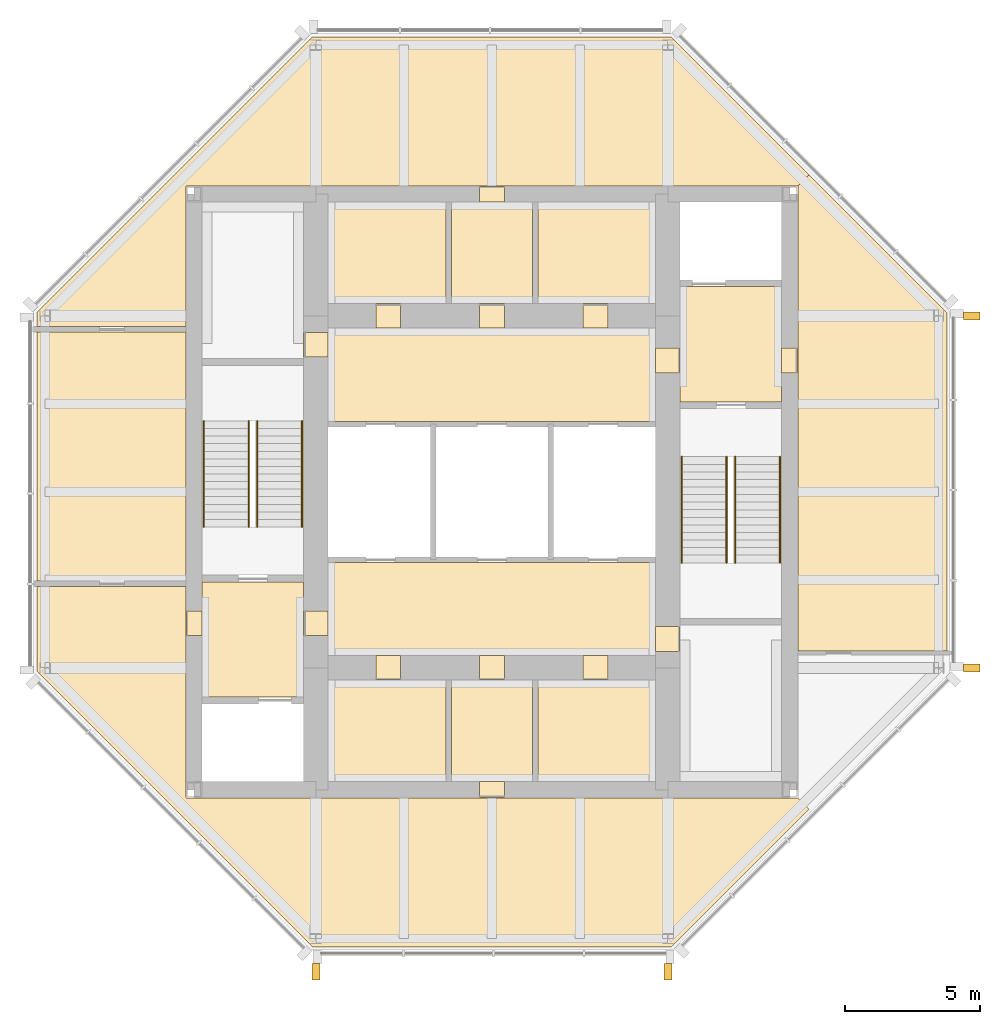
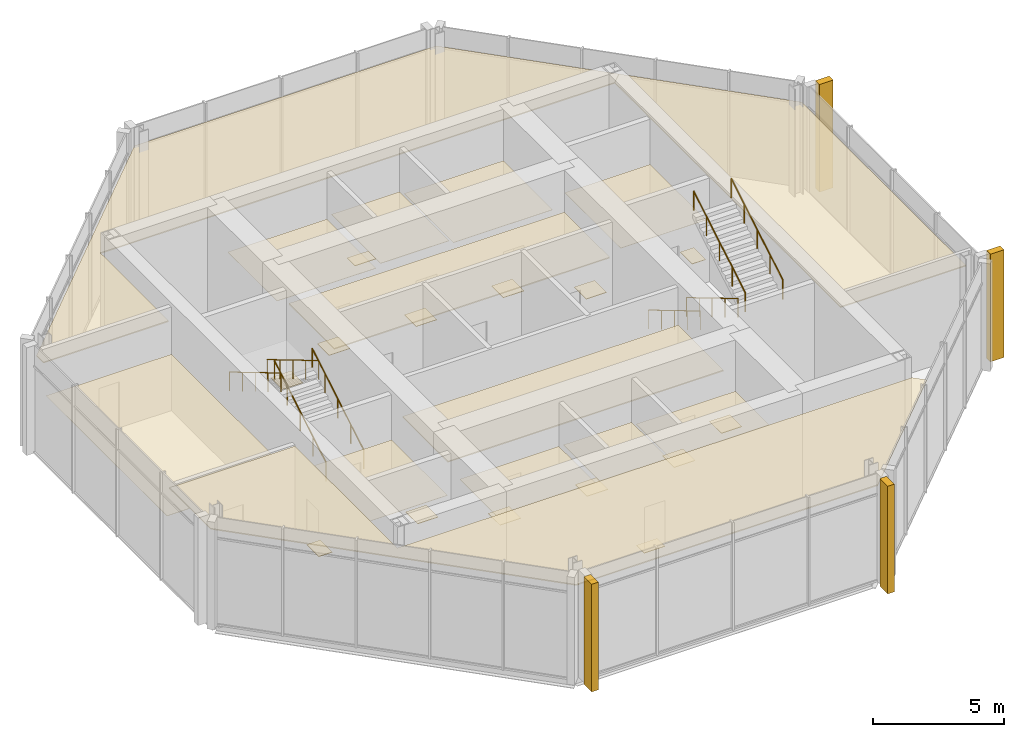
# One storey, part 7 of 7: 32 coverings, 8 railings.
"""IFC4 building model written with IfcOpenShell, lengths in metres."""

from ifc_helpers import new_model, si_unit, direction, frame, origin, origin_2d, place, context, subcontext, project, spatial, polyline, rectangle, circle, outline, extrude, material, layer, layer_set, type_object, element, save


model = new_model("IFC4")

# Units and contexts
model_context = context("Model", 3, precision=1e-05, world=origin(), true_north=direction((0.0, 1.0)))
body_context = subcontext(model_context, "Body", "Model", "MODEL_VIEW")
ifc_project = project(units=[si_unit("LENGTHUNIT", "METRE"), si_unit("AREAUNIT", "SQUARE_METRE"), si_unit("VOLUMEUNIT", "CUBIC_METRE"), si_unit("PLANEANGLEUNIT", "RADIAN"), si_unit("MASSUNIT", "GRAM", prefix="KILO")], contexts=[model_context])

# Site, building, storey
site_placement = place(None, origin())
site = spatial("IfcSite", under=ifc_project, at=site_placement, CompositionType="ELEMENT")
building_placement = place(site_placement, origin())
building = spatial("IfcBuilding", under=site, at=building_placement, Name="Trevanion Tower", CompositionType="ELEMENT")
storey_placement = place(building_placement, frame((0.0, 0.0, 299.199951171875)))
storey = spatial("IfcBuildingStorey", under=building, at=storey_placement, Name="L74", CompositionType="ELEMENT", Elevation=299.199951171875)

# Coverings
ifc_material_1 = material(Name="Fibrous plaster coffers on suspended steel grid", Category="steel")
ifc_layer_1 = layer(ifc_material_1, 0.050048828125)
ifc_layer_set_1 = layer_set([ifc_layer_1], Name="CL1 coffered fibrous plaster ceiling 50")
covering_type_1 = type_object("IfcCoveringType", Name="CL1 coffered fibrous plaster ceiling 50", PredefinedType="CEILING", material=ifc_layer_set_1)
covering_1_placement = place(storey_placement, frame((0.0, 0.0, 3.0)))
element("IfcCovering", 1, at=covering_1_placement, inside=storey, type_object=covering_type_1, Name="CL1 L74-LBN", PredefinedType="CEILING", context=body_context, shape_type="SweptSolid", body=[
    extrude(outline(polyline([(6.050048828125, 2.60009765625), (6.050048828125, 6.050048828125), (-6.050048828125, 6.050048828125), (-6.050048828125, 2.60009765625), (6.050048828125, 2.60009765625)])), origin(), (0.0, 0.0, 1.0), 0.050048828125),
])
covering_2_placement = place(storey_placement, frame((0.0, 0.0, 3.0)))
element("IfcCovering", 2, at=covering_2_placement, inside=storey, type_object=covering_type_1, Name="CL1 L74-LBS", PredefinedType="CEILING", context=body_context, shape_type="SweptSolid", body=[
    extrude(outline(polyline([(6.050048828125, -6.050048828125), (6.050048828125, -2.60009765625), (-6.050048828125, -2.60009765625), (-6.050048828125, -6.050048828125), (6.050048828125, -6.050048828125)])), origin(), (0.0, 0.0, 1.0), 0.050048828125),
])
covering_3_placement = place(storey_placement, frame((0.0, 0.0, 4.0)))
element("IfcCovering", 3, at=covering_3_placement, inside=storey, type_object=covering_type_1, Name="CL1 L74-RS", PredefinedType="CEILING", context=body_context, shape_type="SweptSolid", body=[
    extrude(outline(polyline([(6.624267578125, 16.800048828125), (11.712158203125, 11.712158203125), (11.300048828125, 11.300048828125), (-11.300048828125, 11.300048828125), (-11.300048828125, 6.10009765625), (-16.800048828125, 6.10009765625), (-16.800048828125, 6.624267578125), (-6.624267578125, 16.800048828125), (6.624267578125, 16.800048828125)])), origin(), (0.0, 0.0, 1.0), 0.050048828125),
])
covering_4_placement = place(storey_placement, frame((0.0, 0.0, 4.0)))
element("IfcCovering", 4, at=covering_4_placement, inside=storey, type_object=covering_type_1, Name="CL1 L74-RT", PredefinedType="CEILING", context=body_context, shape_type="SweptSolid", body=[
    extrude(outline(polyline([(-6.624267578125, -16.800048828125), (-16.800048828125, -6.624267578125), (-16.800048828125, -3.5), (-11.300048828125, -3.5), (-11.300048828125, -11.300048828125), (11.300048828125, -11.300048828125), (11.712158203125, -11.712158203125), (6.624267578125, -16.800048828125), (-6.624267578125, -16.800048828125)])), origin(), (0.0, 0.0, 1.0), 0.050048828125),
])
covering_5_placement = place(storey_placement, frame((0.0, 0.0, 4.0)))
element("IfcCovering", 5, at=covering_5_placement, inside=storey, type_object=covering_type_1, Name="CL1 L74-BR", PredefinedType="CEILING", context=body_context, shape_type="SweptSolid", body=[
    extrude(outline(polyline([(16.800048828125, -5.875), (11.300048828125, -5.875), (11.300048828125, 11.300048828125), (11.712158203125, 11.712158203125), (16.800048828125, 6.624267578125), (16.800048828125, -5.875)])), origin(), (0.0, 0.0, 1.0), 0.050048828125),
])
ifc_material_2 = material(Name="Mineral fibre acoustic tiles in exposed grid", Category="mineral fibre")
ifc_layer_2 = layer(ifc_material_2, 0.02001953125)
ifc_layer_set_2 = layer_set([ifc_layer_2], Name="CL2 acoustic tile ceiling 20")
covering_type_2 = type_object("IfcCoveringType", Name="CL2 acoustic tile ceiling 20", PredefinedType="CEILING", material=ifc_layer_set_2)
covering_6_placement = place(storey_placement, frame((0.0, 0.0, 2.75)))
element("IfcCovering", 6, at=covering_6_placement, inside=storey, type_object=covering_type_2, Name="CL2 L74-CNC", PredefinedType="CEILING", context=body_context, shape_type="SweptSolid", body=[
    extrude(outline(polyline([(1.5, 6.949951171875), (1.5, 10.699951171875), (-1.5, 10.699951171875), (-1.5, 6.949951171875), (1.5, 6.949951171875)])), origin(), (0.0, 0.0, 1.0), 0.02001953125),
])
covering_7_placement = place(storey_placement, frame((0.0, 0.0, 2.75)))
element("IfcCovering", 7, at=covering_7_placement, inside=storey, type_object=covering_type_2, Name="CL2 L74-CSC", PredefinedType="CEILING", context=body_context, shape_type="SweptSolid", body=[
    extrude(outline(polyline([(1.5, -10.699951171875), (1.5, -6.949951171875), (-1.5, -6.949951171875), (-1.5, -10.699951171875), (1.5, -10.699951171875)])), origin(), (0.0, 0.0, 1.0), 0.02001953125),
])
covering_8_placement = place(storey_placement, frame((0.0, 0.0, 2.75)))
element("IfcCovering", 8, at=covering_8_placement, inside=storey, type_object=covering_type_2, Name="CL2 L74-RO", PredefinedType="CEILING", context=body_context, shape_type="SweptSolid", body=[
    extrude(outline(polyline([(-1.699951171875, -10.699951171875), (-1.699951171875, -6.949951171875), (-6.050048828125, -6.949951171875), (-6.050048828125, -10.699951171875), (-1.699951171875, -10.699951171875)])), origin(), (0.0, 0.0, 1.0), 0.02001953125),
])
ifc_material_3 = material(Name="Gypsum plasterboard on suspended metal furring", Category="gypsum")
ifc_layer_3 = layer(ifc_material_3, 0.012939453125)
ifc_layer_set_3 = layer_set([ifc_layer_3], Name="CL3 plasterboard ceiling 13")
covering_type_3 = type_object("IfcCoveringType", Name="CL3 plasterboard ceiling 13", PredefinedType="CEILING", material=ifc_layer_set_3)
covering_9_placement = place(storey_placement, frame((0.0, 0.0, 2.699951171875)))
element("IfcCovering", 9, at=covering_9_placement, inside=storey, type_object=covering_type_3, Name="CL3 L74-FV1", PredefinedType="CEILING", context=body_context, shape_type="SweptSolid", body=[
    extrude(outline(polyline([(10.699951171875, 3.324951171875), (10.699951171875, 7.574951171875), (6.949951171875, 7.574951171875), (6.949951171875, 3.324951171875), (10.699951171875, 3.324951171875)])), origin(), (0.0, 0.0, 1.0), 0.01318359375),
])
covering_10_placement = place(storey_placement, frame((0.0, 0.0, 2.699951171875)))
element("IfcCovering", 10, at=covering_10_placement, inside=storey, type_object=covering_type_3, Name="CL3 L74-FV2", PredefinedType="CEILING", context=body_context, shape_type="SweptSolid", body=[
    extrude(outline(polyline([(-10.699951171875, -3.324951171875), (-10.699951171875, -7.574951171875), (-6.949951171875, -7.574951171875), (-6.949951171875, -3.324951171875), (-10.699951171875, -3.324951171875)])), origin(), (0.0, 0.0, 1.0), 0.01318359375),
])
ifc_material_4 = material(Name="Moisture-resistant gypsum board on suspended metal furring", Category="gypsum")
ifc_layer_4 = layer(ifc_material_4, 0.01611328125)
ifc_layer_set_4 = layer_set([ifc_layer_4], Name="CL4 moisture-resistant board ceiling 16")
covering_type_4 = type_object("IfcCoveringType", Name="CL4 moisture-resistant board ceiling 16", PredefinedType="CEILING", material=ifc_layer_set_4)
covering_11_placement = place(storey_placement, frame((0.0, 0.0, 2.60009765625)))
element("IfcCovering", 11, at=covering_11_placement, inside=storey, type_object=covering_type_4, Name="CL4 L74-WCM", PredefinedType="CEILING", context=body_context, shape_type="SweptSolid", body=[
    extrude(outline(polyline([(-1.699951171875, 6.949951171875), (-1.699951171875, 10.699951171875), (-6.050048828125, 10.699951171875), (-6.050048828125, 6.949951171875), (-1.699951171875, 6.949951171875)])), origin(), (0.0, 0.0, 1.0), 0.015869140625),
])
covering_12_placement = place(storey_placement, frame((0.0, 0.0, 2.60009765625)))
element("IfcCovering", 12, at=covering_12_placement, inside=storey, type_object=covering_type_4, Name="CL4 L74-WC", PredefinedType="CEILING", context=body_context, shape_type="SweptSolid", body=[
    extrude(outline(polyline([(6.050048828125, 6.949951171875), (6.050048828125, 10.699951171875), (1.699951171875, 10.699951171875), (1.699951171875, 6.949951171875), (6.050048828125, 6.949951171875)])), origin(), (0.0, 0.0, 1.0), 0.015869140625),
])
covering_13_placement = place(storey_placement, frame((0.0, 0.0, 2.60009765625)))
element("IfcCovering", 13, at=covering_13_placement, inside=storey, type_object=covering_type_4, Name="CL4 L74-WCA", PredefinedType="CEILING", context=body_context, shape_type="SweptSolid", body=[
    extrude(outline(polyline([(6.050048828125, -10.699951171875), (6.050048828125, -6.949951171875), (1.699951171875, -6.949951171875), (1.699951171875, -10.699951171875), (6.050048828125, -10.699951171875)])), origin(), (0.0, 0.0, 1.0), 0.015869140625),
])
covering_14_placement = place(storey_placement, frame((0.0, 0.0, 2.60009765625)))
element("IfcCovering", 14, at=covering_14_placement, inside=storey, type_object=covering_type_4, Name="CL4 L74-KT", PredefinedType="CEILING", context=body_context, shape_type="SweptSolid", body=[
    extrude(outline(polyline([(-16.800048828125, 5.89990234375), (-11.300048828125, 5.89990234375), (-11.300048828125, -3.300048828125), (-16.800048828125, -3.300048828125), (-16.800048828125, 5.89990234375)])), origin(), (0.0, 0.0, 1.0), 0.015869140625),
])
ifc_material_5 = material(Name="Cast bronze fin on aluminium carrier", Category="aluminium")
covering_type_5 = type_object("IfcCoveringType", Name="F1 bronze fin", PredefinedType="CLADDING", material=ifc_material_5)
for number, where, z_axis, x_axis, name in (
    (15, (17.72509765625, -6.5, -0.18994140625), (0.0, 0.0, 1.0), (0.0, 1.0, 0.0), "F1 L74 east -6.5"),
    (16, (17.72509765625, 6.5, -0.18994140625), (0.0, 0.0, 1.0), (0.0, 1.0, 0.0), "F1 L74 east +6.5"),
    (17, (-6.5, -17.72509765625, -0.18994140625), (0.0, 0.0, 1.0), (1.0, 0.0, 0.0), "F1 L74 south -6.5"),
    (18, (6.5, -17.72509765625, -0.18994140625), (0.0, 0.0, 1.0), (1.0, 0.0, 0.0), "F1 L74 south +6.5"),
):
    element("IfcCovering", number, at=place(storey_placement, frame(where, z_axis=z_axis, x_axis=x_axis)), inside=storey, type_object=covering_type_5, Name=name, PredefinedType="CLADDING", context=body_context, shape_type="SweptSolid", body=[
        extrude(rectangle(XDim=0.300048828125, YDim=0.60009765625, at=origin_2d()), origin(), (0.0, 0.0, 1.0), 5.0),
    ])
ifc_material_6 = material(Name="Terrazzo, brass divider strips", Category="stone")
ifc_layer_5 = layer(ifc_material_6, 0.02001953125)
ifc_layer_set_5 = layer_set([ifc_layer_5], Name="FF1 terrazzo flooring")
covering_type_6 = type_object("IfcCoveringType", Name="FF1 terrazzo flooring", PredefinedType="FLOORING", material=ifc_layer_set_5)
covering_15_placement = place(storey_placement, origin())
element("IfcCovering", 19, at=covering_15_placement, inside=storey, type_object=covering_type_6, Name="FF1 threshold 74-001", PredefinedType="FLOORING", context=body_context, shape_type="SweptSolid", body=[
    extrude(outline(polyline([(11.300048828125, 4.392578125), (11.300048828125, 5.3076171875), (10.699951171875, 5.3076171875), (10.699951171875, 4.392578125), (11.300048828125, 4.392578125)])), origin(), (0.0, 0.0, 1.0), 0.02001953125),
])
covering_16_placement = place(storey_placement, origin())
element("IfcCovering", 20, at=covering_16_placement, inside=storey, type_object=covering_type_6, Name="FF1 threshold 74-002", PredefinedType="FLOORING", context=body_context, shape_type="SweptSolid", body=[
    extrude(outline(polyline([(-11.300048828125, -4.392578125), (-11.300048828125, -5.3076171875), (-10.699951171875, -5.3076171875), (-10.699951171875, -4.392578125), (-11.300048828125, -4.392578125)])), origin(), (0.0, 0.0, 1.0), 0.02001953125),
])
covering_17_placement = place(storey_placement, origin())
element("IfcCovering", 21, at=covering_17_placement, inside=storey, type_object=covering_type_6, Name="FF1 threshold 74-003", PredefinedType="FLOORING", context=body_context, shape_type="SweptSolid", body=[
    extrude(outline(polyline([(6.949951171875, 4.392578125), (6.949951171875, 5.3076171875), (6.050048828125, 5.3076171875), (6.050048828125, 4.392578125), (6.949951171875, 4.392578125)])), origin(), (0.0, 0.0, 1.0), 0.02001953125),
])
covering_18_placement = place(storey_placement, origin())
element("IfcCovering", 22, at=covering_18_placement, inside=storey, type_object=covering_type_6, Name="FF1 threshold 74-004", PredefinedType="FLOORING", context=body_context, shape_type="SweptSolid", body=[
    extrude(outline(polyline([(-6.949951171875, -4.392578125), (-6.949951171875, -5.3076171875), (-6.050048828125, -5.3076171875), (-6.050048828125, -4.392578125), (-6.949951171875, -4.392578125)])), origin(), (0.0, 0.0, 1.0), 0.02001953125),
])
covering_19_placement = place(storey_placement, origin())
element("IfcCovering", 23, at=covering_19_placement, inside=storey, type_object=covering_type_6, Name="FF1 threshold 74-009", PredefinedType="FLOORING", context=body_context, shape_type="SweptSolid", body=[
    extrude(outline(polyline([(6.949951171875, -5.889892578125), (6.949951171875, -4.97509765625), (6.050048828125, -4.97509765625), (6.050048828125, -5.889892578125), (6.949951171875, -5.889892578125)])), origin(), (0.0, 0.0, 1.0), 0.02001953125),
])
covering_20_placement = place(storey_placement, origin())
element("IfcCovering", 24, at=covering_20_placement, inside=storey, type_object=covering_type_6, Name="FF1 threshold 74-010", PredefinedType="FLOORING", context=body_context, shape_type="SweptSolid", body=[
    extrude(outline(polyline([(-6.949951171875, 5.889892578125), (-6.949951171875, 4.97509765625), (-6.050048828125, 4.97509765625), (-6.050048828125, 5.889892578125), (-6.949951171875, 5.889892578125)])), origin(), (0.0, 0.0, 1.0), 0.02001953125),
])
covering_21_placement = place(storey_placement, origin())
element("IfcCovering", 25, at=covering_21_placement, inside=storey, type_object=covering_type_6, Name="FF1 threshold 74-017", PredefinedType="FLOORING", context=body_context, shape_type="SweptSolid", body=[
    extrude(outline(polyline([(0.45751953125, 6.949951171875), (-0.45751953125, 6.949951171875), (-0.45751953125, 6.050048828125), (0.45751953125, 6.050048828125), (0.45751953125, 6.949951171875)])), origin(), (0.0, 0.0, 1.0), 0.02001953125),
])
covering_22_placement = place(storey_placement, origin())
element("IfcCovering", 26, at=covering_22_placement, inside=storey, type_object=covering_type_6, Name="FF1 threshold 74-018", PredefinedType="FLOORING", context=body_context, shape_type="SweptSolid", body=[
    extrude(outline(polyline([(0.45751953125, 11.300048828125), (-0.45751953125, 11.300048828125), (-0.45751953125, 10.699951171875), (0.45751953125, 10.699951171875), (0.45751953125, 11.300048828125)])), origin(), (0.0, 0.0, 1.0), 0.02001953125),
])
covering_23_placement = place(storey_placement, origin())
element("IfcCovering", 27, at=covering_23_placement, inside=storey, type_object=covering_type_6, Name="FF1 threshold 74-019", PredefinedType="FLOORING", context=body_context, shape_type="SweptSolid", body=[
    extrude(outline(polyline([(-3.367431640625, 6.949951171875), (-4.282470703125, 6.949951171875), (-4.282470703125, 6.050048828125), (-3.367431640625, 6.050048828125), (-3.367431640625, 6.949951171875)])), origin(), (0.0, 0.0, 1.0), 0.02001953125),
])
covering_24_placement = place(storey_placement, origin())
element("IfcCovering", 28, at=covering_24_placement, inside=storey, type_object=covering_type_6, Name="FF1 threshold 74-020", PredefinedType="FLOORING", context=body_context, shape_type="SweptSolid", body=[
    extrude(outline(polyline([(4.282470703125, 6.949951171875), (3.367431640625, 6.949951171875), (3.367431640625, 6.050048828125), (4.282470703125, 6.050048828125), (4.282470703125, 6.949951171875)])), origin(), (0.0, 0.0, 1.0), 0.02001953125),
])
covering_25_placement = place(storey_placement, origin())
element("IfcCovering", 29, at=covering_25_placement, inside=storey, type_object=covering_type_6, Name="FF1 threshold 74-021", PredefinedType="FLOORING", context=body_context, shape_type="SweptSolid", body=[
    extrude(outline(polyline([(-0.45751953125, -6.949951171875), (0.45751953125, -6.949951171875), (0.45751953125, -6.050048828125), (-0.45751953125, -6.050048828125), (-0.45751953125, -6.949951171875)])), origin(), (0.0, 0.0, 1.0), 0.02001953125),
])
covering_26_placement = place(storey_placement, origin())
element("IfcCovering", 30, at=covering_26_placement, inside=storey, type_object=covering_type_6, Name="FF1 threshold 74-022", PredefinedType="FLOORING", context=body_context, shape_type="SweptSolid", body=[
    extrude(outline(polyline([(-0.45751953125, -11.300048828125), (0.45751953125, -11.300048828125), (0.45751953125, -10.699951171875), (-0.45751953125, -10.699951171875), (-0.45751953125, -11.300048828125)])), origin(), (0.0, 0.0, 1.0), 0.02001953125),
])
covering_27_placement = place(storey_placement, origin())
element("IfcCovering", 31, at=covering_27_placement, inside=storey, type_object=covering_type_6, Name="FF1 threshold 74-023", PredefinedType="FLOORING", context=body_context, shape_type="SweptSolid", body=[
    extrude(outline(polyline([(-4.282470703125, -6.949951171875), (-3.367431640625, -6.949951171875), (-3.367431640625, -6.050048828125), (-4.282470703125, -6.050048828125), (-4.282470703125, -6.949951171875)])), origin(), (0.0, 0.0, 1.0), 0.02001953125),
])
covering_28_placement = place(storey_placement, origin())
element("IfcCovering", 32, at=covering_28_placement, inside=storey, type_object=covering_type_6, Name="FF1 threshold 74-024", PredefinedType="FLOORING", context=body_context, shape_type="SweptSolid", body=[
    extrude(outline(polyline([(3.367431640625, -6.949951171875), (4.282470703125, -6.949951171875), (4.282470703125, -6.050048828125), (3.367431640625, -6.050048828125), (3.367431640625, -6.949951171875)])), origin(), (0.0, 0.0, 1.0), 0.02001953125),
])

# Railings
ifc_material_7 = material(Name="Stainless steel tube 40 mm", Category="steel")
railing_type = type_object("IfcRailingType", Name="HR1 handrail", PredefinedType="HANDRAIL", material=ifc_material_7)
for number, where, name in (
    (33, (7.010009765625, 1.300048828125, 0.166748046875), "HR1 ST1 L74 flight 1"),
    (34, (8.6650390625, 1.300048828125, 0.166748046875), "HR1 ST1 L74 flight 1"),
):
    element("IfcRailing", number, at=place(storey_placement, frame(where)), inside=storey, type_object=railing_type, Name=name, PredefinedType="HANDRAIL", context=body_context, shape_type="SweptSolid", body=[
        extrude(circle(Radius=0.02001953125, at=origin_2d()), frame((0.0, 0.0, 0.8798828125), z_axis=(0.0, -0.859310244771, 0.511454693235), x_axis=(1.0, 0.0, 0.0)), (0.0, 0.0, 1.0), 4.56201171875),
        extrude(circle(Radius=0.01513671875, at=origin_2d()), origin(), (0.0, 0.0, 1.0), 0.85986328125),
        extrude(circle(Radius=0.01513671875, at=origin_2d()), frame((0.0, -0.97998046875, 0.583251953125)), (0.0, 0.0, 1.0), 0.85986328125),
        extrude(circle(Radius=0.01513671875, at=origin_2d()), frame((0.0, -1.9599609375, 1.16650390625)), (0.0, 0.0, 1.0), 0.85986328125),
        extrude(circle(Radius=0.01513671875, at=origin_2d()), frame((0.0, -2.940185546875, 1.75)), (0.0, 0.0, 1.0), 0.85986328125),
        extrude(circle(Radius=0.01513671875, at=origin_2d()), frame((0.0, -3.920166015625, 2.333251953125)), (0.0, 0.0, 1.0), 0.85986328125),
    ])
for number, where, name in (
    (35, (8.985107421875, -2.6201171875, 2.666748046875), "HR1 ST1 L74 flight 2"),
    (36, (10.639892578125, -2.6201171875, 2.666748046875), "HR1 ST1 L74 flight 2"),
    (37, (-7.010009765625, -1.300048828125, 0.166748046875), "HR1 ST2 L74 flight 1"),
    (38, (-8.6650390625, -1.300048828125, 0.166748046875), "HR1 ST2 L74 flight 1"),
):
    element("IfcRailing", number, at=place(storey_placement, frame(where)), inside=storey, type_object=railing_type, Name=name, PredefinedType="HANDRAIL", context=body_context, shape_type="SweptSolid", body=[
        extrude(circle(Radius=0.02001953125, at=origin_2d()), frame((0.0, 0.0, 0.8798828125), z_axis=(0.0, 0.859310244771, 0.511454693235), x_axis=(-1.0, 0.0, 0.0)), (0.0, 0.0, 1.0), 4.56201171875),
        extrude(circle(Radius=0.01513671875, at=origin_2d()), origin(), (0.0, 0.0, 1.0), 0.85986328125),
        extrude(circle(Radius=0.01513671875, at=origin_2d()), frame((0.0, 0.97998046875, 0.583251953125)), (0.0, 0.0, 1.0), 0.85986328125),
        extrude(circle(Radius=0.01513671875, at=origin_2d()), frame((0.0, 1.9599609375, 1.16650390625)), (0.0, 0.0, 1.0), 0.85986328125),
        extrude(circle(Radius=0.01513671875, at=origin_2d()), frame((0.0, 2.940185546875, 1.75)), (0.0, 0.0, 1.0), 0.85986328125),
        extrude(circle(Radius=0.01513671875, at=origin_2d()), frame((0.0, 3.920166015625, 2.333251953125)), (0.0, 0.0, 1.0), 0.85986328125),
    ])
for number, where, name in (
    (39, (-8.985107421875, 2.6201171875, 2.666748046875), "HR1 ST2 L74 flight 2"),
    (40, (-10.639892578125, 2.6201171875, 2.666748046875), "HR1 ST2 L74 flight 2"),
):
    element("IfcRailing", number, at=place(storey_placement, frame(where)), inside=storey, type_object=railing_type, Name=name, PredefinedType="HANDRAIL", context=body_context, shape_type="SweptSolid", body=[
        extrude(circle(Radius=0.02001953125, at=origin_2d()), frame((0.0, 0.0, 0.8798828125), z_axis=(0.0, -0.859310244771, 0.511454693235), x_axis=(1.0, 0.0, 0.0)), (0.0, 0.0, 1.0), 4.56201171875),
        extrude(circle(Radius=0.01513671875, at=origin_2d()), origin(), (0.0, 0.0, 1.0), 0.85986328125),
        extrude(circle(Radius=0.01513671875, at=origin_2d()), frame((0.0, -0.97998046875, 0.583251953125)), (0.0, 0.0, 1.0), 0.85986328125),
        extrude(circle(Radius=0.01513671875, at=origin_2d()), frame((0.0, -1.9599609375, 1.16650390625)), (0.0, 0.0, 1.0), 0.85986328125),
        extrude(circle(Radius=0.01513671875, at=origin_2d()), frame((0.0, -2.940185546875, 1.75)), (0.0, 0.0, 1.0), 0.85986328125),
        extrude(circle(Radius=0.01513671875, at=origin_2d()), frame((0.0, -3.920166015625, 2.333251953125)), (0.0, 0.0, 1.0), 0.85986328125),
    ])

save(model, "model.ifc")
